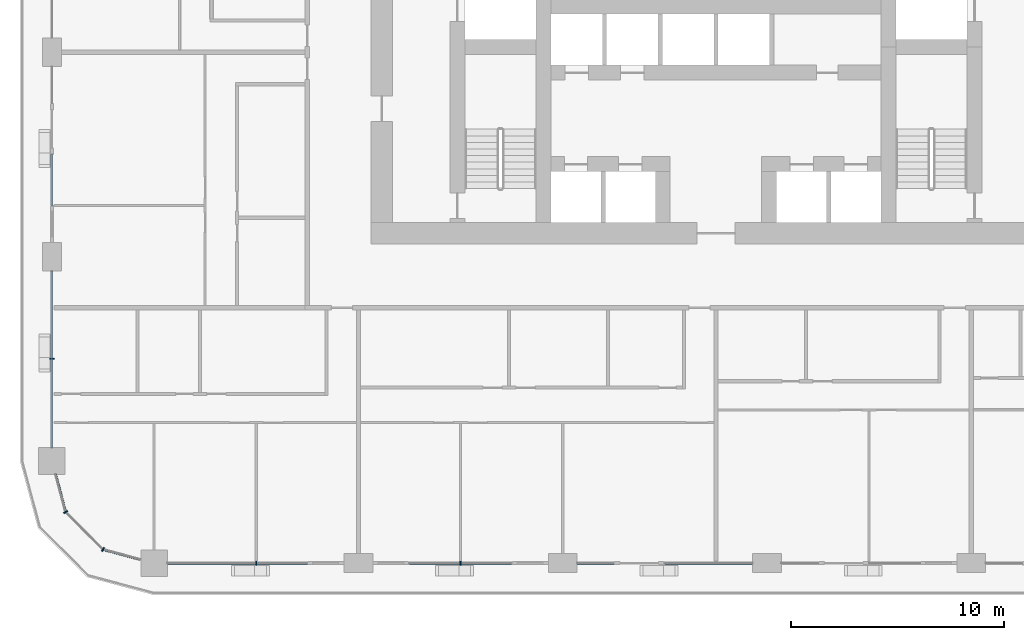
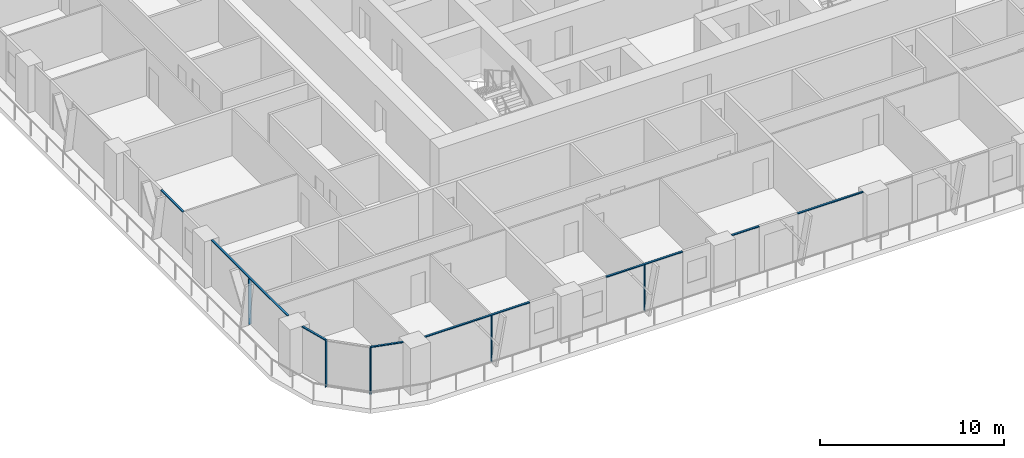
# One storey, part 2 of 21: 13 members, 6 elements without a shape of their own.
"""IFC4 building model written with IfcOpenShell, lengths in metres."""

from ifc_helpers import new_model, si_unit, direction, frame, origin, origin_2d, place, context, subcontext, project, spatial, rectangle, extrude, material, layer, layer_set, material_profile, profile_set, type_object, element, aggregate, save


model = new_model("IFC4")

# Units and contexts
model_context = context("Model", 3, precision=1e-05, world=origin(), true_north=direction((0.0, 1.0)))
body_context = subcontext(model_context, "Body", "Model", "MODEL_VIEW")
ifc_project = project(units=[si_unit("LENGTHUNIT", "METRE"), si_unit("AREAUNIT", "SQUARE_METRE"), si_unit("VOLUMEUNIT", "CUBIC_METRE"), si_unit("PLANEANGLEUNIT", "RADIAN"), si_unit("MASSUNIT", "GRAM", prefix="KILO")], contexts=[model_context])

# Site, building, storey
site_placement = place(None, origin())
site = spatial("IfcSite", under=ifc_project, at=site_placement, CompositionType="ELEMENT")
building_placement = place(site_placement, origin())
building = spatial("IfcBuilding", under=site, at=building_placement, Name="Madar Terraces", CompositionType="ELEMENT")
storey_placement = place(building_placement, frame((0.0, 0.0, 50.39990234375)))
storey = spatial("IfcBuildingStorey", under=building, at=storey_placement, Name="L12", CompositionType="ELEMENT", Elevation=50.39990234375)

# Curtain wall, member
ifc_material_1 = material(Name="Glass, ceramic frit dark grey, with black aluminium frame", Category="aluminium")
ifc_layer = layer(ifc_material_1, 0.199951171875)
ifc_layer_set = layer_set([ifc_layer], Name="Facade curtain wall, fritted glass")
curtain_wall_type = type_object("IfcCurtainWallType", Name="Facade curtain wall, fritted glass", PredefinedType="NOTDEFINED", material=ifc_layer_set)
curtain_wall_1_placement = place(storey_placement, origin())
curtain_wall_1 = element("IfcCurtainWall", 1, at=curtain_wall_1_placement, inside=storey, type_object=curtain_wall_type, Name="Outer skin curtain wall south bay 1", PredefinedType="NOTDEFINED")
ifc_material_2 = material(Name="Aluminium, black anodised", Category="aluminium")
ifc_material_profile_1 = material_profile(ifc_material_2, rectangle(XDim=0.199951171875, YDim=0.06005859375, at=origin_2d()), Name="Facade mullion 60x200")
ifc_profile_set_1 = profile_set([ifc_material_profile_1], Name="Aluminium, black anodised")
member_type_1 = type_object("IfcMemberType", Name="Facade mullion 60x200", PredefinedType="MULLION", material=ifc_profile_set_1)
member_1_placement = place(storey_placement, frame((9.60009765625, 0.0, 0.0), z_axis=(0.0, 0.0, 1.0), x_axis=(0.0, 1.0, 0.0)))
member_1 = element("IfcMember", 2, at=member_1_placement, type_object=member_type_1, Name="Mullion 1", PredefinedType="MULLION", context=body_context, shape_type="SweptSolid", body=[
    extrude(rectangle(XDim=0.199951171875, YDim=0.06005859375, at=origin_2d()), origin(), (0.0, 0.0, 1.0), 3.0400390625),
])

curtain_wall_2_placement = place(storey_placement, origin())
curtain_wall_2 = element("IfcCurtainWall", 3, at=curtain_wall_2_placement, inside=storey, type_object=curtain_wall_type, Name="Outer skin curtain wall south bay 2", PredefinedType="NOTDEFINED")
member_2_placement = place(storey_placement, frame((19.199951171875, 0.0, 0.0), z_axis=(0.0, 0.0, 1.0), x_axis=(0.0, 1.0, 0.0)))
member_2 = element("IfcMember", 4, at=member_2_placement, type_object=member_type_1, Name="Mullion 1", PredefinedType="MULLION", context=body_context, shape_type="SweptSolid", body=[
    extrude(rectangle(XDim=0.199951171875, YDim=0.06005859375, at=origin_2d()), origin(), (0.0, 0.0, 1.0), 3.0400390625),
])

curtain_wall_3_placement = place(storey_placement, origin())
curtain_wall_3 = element("IfcCurtainWall", 5, at=curtain_wall_3_placement, inside=storey, type_object=curtain_wall_type, Name="Outer skin curtain wall west bay 4", PredefinedType="NOTDEFINED")
member_3_placement = place(storey_placement, frame((0.0, 9.60009765625, 0.0), z_axis=(0.0, 0.0, 1.0), x_axis=(1.0, 0.0, 0.0)))
member_3 = element("IfcMember", 6, at=member_3_placement, type_object=member_type_1, Name="Mullion 1", PredefinedType="MULLION", context=body_context, shape_type="SweptSolid", body=[
    extrude(rectangle(XDim=0.199951171875, YDim=0.06005859375, at=origin_2d()), origin(), (0.0, 0.0, 1.0), 3.0400390625),
])

# Curtain wall, members
curtain_wall_4_placement = place(storey_placement, origin())
curtain_wall_4 = element("IfcCurtainWall", 7, at=curtain_wall_4_placement, inside=storey, type_object=curtain_wall_type, Name="Outer skin curtain wall south-west corner", PredefinedType="NOTDEFINED")
member_4_placement = place(storey_placement, frame((0.64306640625, 2.39990234375, 0.0), z_axis=(0.0, 0.0, 1.0), x_axis=(0.866025409797, 0.499999989586, 0.0)))
member_4 = element("IfcMember", 8, at=member_4_placement, type_object=member_type_1, Name="Mullion 1", PredefinedType="MULLION", context=body_context, shape_type="SweptSolid", body=[
    extrude(rectangle(XDim=0.199951171875, YDim=0.06005859375, at=origin_2d()), origin(), (0.0, 0.0, 1.0), 3.0400390625),
])
member_5_placement = place(storey_placement, frame((2.39990234375, 0.64306640625, 0.0), z_axis=(0.0, 0.0, 1.0), x_axis=(0.499999989586, 0.866025409797, 0.0)))
member_5 = element("IfcMember", 9, at=member_5_placement, type_object=member_type_1, Name="Mullion 2", PredefinedType="MULLION", context=body_context, shape_type="SweptSolid", body=[
    extrude(rectangle(XDim=0.199951171875, YDim=0.06005859375, at=origin_2d()), origin(), (0.0, 0.0, 1.0), 3.0400390625),
])

# Member
ifc_material_3 = material(Name="Aluminium, black anodised", Category="aluminium")
ifc_material_profile_2 = material_profile(ifc_material_3, rectangle(XDim=0.1201171875, YDim=0.06005859375, at=origin_2d()), Name="Facade transom 60x120")
ifc_profile_set_2 = profile_set([ifc_material_profile_2], Name="Aluminium, black anodised")
member_type_2 = type_object("IfcMemberType", Name="Facade transom 60x120", PredefinedType="USERDEFINED", material=ifc_profile_set_2)
member_6_placement = place(storey_placement, frame((5.425048828125, 0.0, 3.070068359375), z_axis=(1.0, 0.0, 0.0), x_axis=(0.0, 1.0, 0.0)))
member_6 = element("IfcMember", 10, at=member_6_placement, type_object=member_type_2, Name="Transom 1", ObjectType="TRANSOM", PredefinedType="USERDEFINED", context=body_context, shape_type="SweptSolid", body=[
    extrude(rectangle(XDim=0.1201171875, YDim=0.06005859375, at=origin_2d()), origin(), (0.0, 0.0, 1.0), 6.574951171875),
])

aggregate(curtain_wall_1, [member_1, member_6])

member_7_placement = place(storey_placement, frame((16.800048828125, 0.0, 3.070068359375), z_axis=(1.0, 0.0, 0.0), x_axis=(0.0, 1.0, 0.0)))
member_7 = element("IfcMember", 11, at=member_7_placement, type_object=member_type_2, Name="Transom 1", ObjectType="TRANSOM", PredefinedType="USERDEFINED", context=body_context, shape_type="SweptSolid", body=[
    extrude(rectangle(XDim=0.1201171875, YDim=0.06005859375, at=origin_2d()), origin(), (0.0, 0.0, 1.0), 4.800048828125),
])

aggregate(curtain_wall_2, [member_2, member_7])

# Curtain wall, members
curtain_wall_5_placement = place(storey_placement, origin())
curtain_wall_5 = element("IfcCurtainWall", 12, at=curtain_wall_5_placement, inside=storey, type_object=curtain_wall_type, Name="Outer skin curtain wall south bay 3", PredefinedType="NOTDEFINED")
member_8_placement = place(storey_placement, frame((24.675048828125, 0.0, 3.070068359375), z_axis=(1.0, 0.0, 0.0), x_axis=(0.0, 1.0, 0.0)))
member_8 = element("IfcMember", 13, at=member_8_placement, type_object=member_type_2, Name="Transom 1", ObjectType="TRANSOM", PredefinedType="USERDEFINED", context=body_context, shape_type="SweptSolid", body=[
    extrude(rectangle(XDim=0.1201171875, YDim=0.06005859375, at=origin_2d()), origin(), (0.0, 0.0, 1.0), 1.724853515625),
])
member_9_placement = place(storey_placement, frame((28.800048828125, 0.0, 3.070068359375), z_axis=(1.0, 0.0, 0.0), x_axis=(0.0, 1.0, 0.0)))
member_9 = element("IfcMember", 14, at=member_9_placement, type_object=member_type_2, Name="Transom 2", ObjectType="TRANSOM", PredefinedType="USERDEFINED", context=body_context, shape_type="SweptSolid", body=[
    extrude(rectangle(XDim=0.1201171875, YDim=0.06005859375, at=origin_2d()), origin(), (0.0, 0.0, 1.0), 4.125),
])
aggregate(curtain_wall_5, [member_8, member_9])

# Curtain wall, member
curtain_wall_6_placement = place(storey_placement, origin())
curtain_wall_6 = element("IfcCurtainWall", 15, at=curtain_wall_6_placement, inside=storey, type_object=curtain_wall_type, Name="Outer skin curtain wall west bay 3", PredefinedType="NOTDEFINED")
member_10_placement = place(storey_placement, frame((0.0, 19.199951171875, 3.070068359375), z_axis=(0.0, -1.0, 0.0), x_axis=(1.0, 0.0, 0.0)))
member_10 = element("IfcMember", 16, at=member_10_placement, type_object=member_type_2, Name="Transom 2", ObjectType="TRANSOM", PredefinedType="USERDEFINED", context=body_context, shape_type="SweptSolid", body=[
    extrude(rectangle(XDim=0.1201171875, YDim=0.06005859375, at=origin_2d()), origin(), (0.0, 0.0, 1.0), 2.39990234375),
])
aggregate(curtain_wall_6, [member_10])

# Member
member_11_placement = place(storey_placement, frame((0.0, 13.72509765625, 3.070068359375), z_axis=(0.0, -1.0, 0.0), x_axis=(1.0, 0.0, 0.0)))
member_11 = element("IfcMember", 17, at=member_11_placement, type_object=member_type_2, Name="Transom 1", ObjectType="TRANSOM", PredefinedType="USERDEFINED", context=body_context, shape_type="SweptSolid", body=[
    extrude(rectangle(XDim=0.1201171875, YDim=0.06005859375, at=origin_2d()), origin(), (0.0, 0.0, 1.0), 8.300048828125),
])

aggregate(curtain_wall_3, [member_3, member_11])

member_12_placement = place(storey_placement, frame((0.16748046875, 4.175048828125, 3.070068359375), z_axis=(0.258772089929, -0.965938406667, 0.0), x_axis=(0.965938406667, 0.258772089929, 0.0)))
member_12 = element("IfcMember", 18, at=member_12_placement, type_object=member_type_2, Name="Transom 1", ObjectType="TRANSOM", PredefinedType="USERDEFINED", context=body_context, shape_type="SweptSolid", body=[
    extrude(rectangle(XDim=0.1201171875, YDim=0.06005859375, at=origin_2d()), origin(), (0.0, 0.0, 1.0), 1.8076171875),
])

member_13_placement = place(storey_placement, frame((2.428955078125, 0.63525390625, 3.070068359375), z_axis=(0.965938406667, -0.258772089929, 0.0), x_axis=(0.258772089929, 0.965938406667, 0.0)))
member_13 = element("IfcMember", 19, at=member_13_placement, type_object=member_type_2, Name="Transom 3", ObjectType="TRANSOM", PredefinedType="USERDEFINED", context=body_context, shape_type="SweptSolid", body=[
    extrude(rectangle(XDim=0.1201171875, YDim=0.06005859375, at=origin_2d()), origin(), (0.0, 0.0, 1.0), 1.8076171875),
])

aggregate(curtain_wall_4, [member_4, member_12, member_5, member_13])

save(model, "model.ifc")
